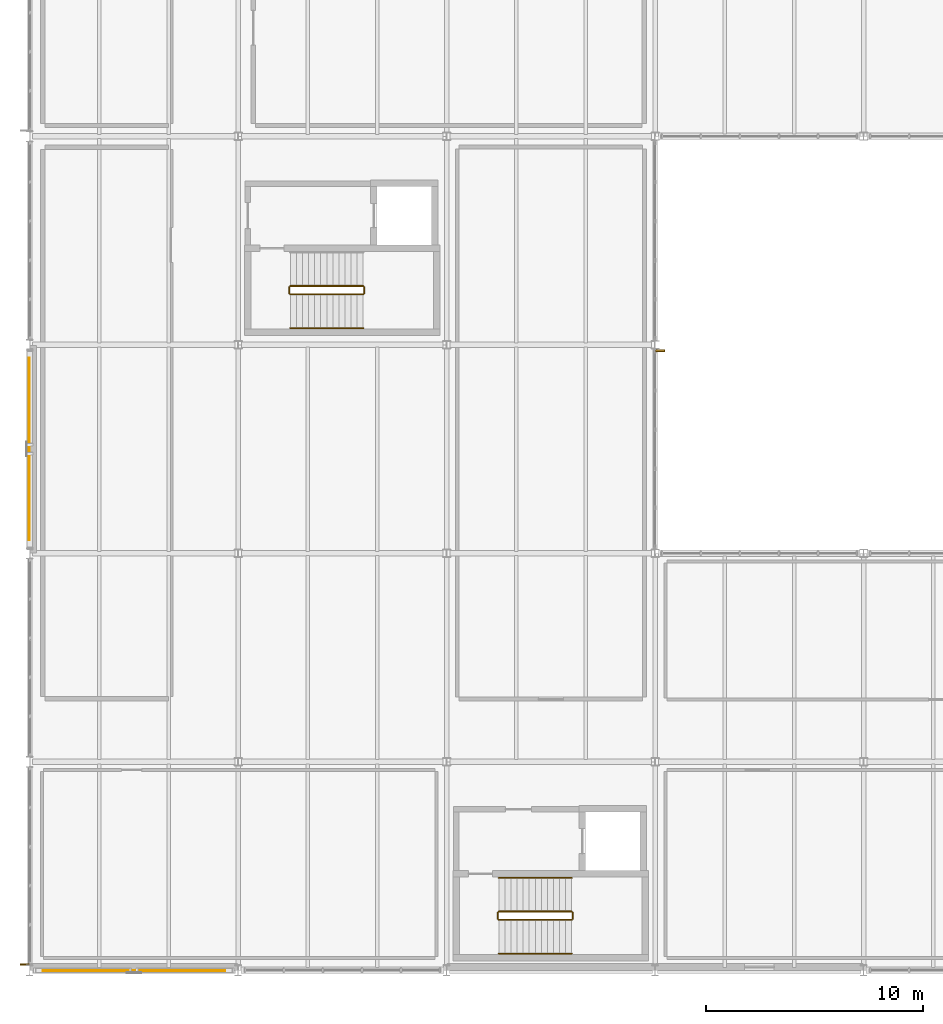
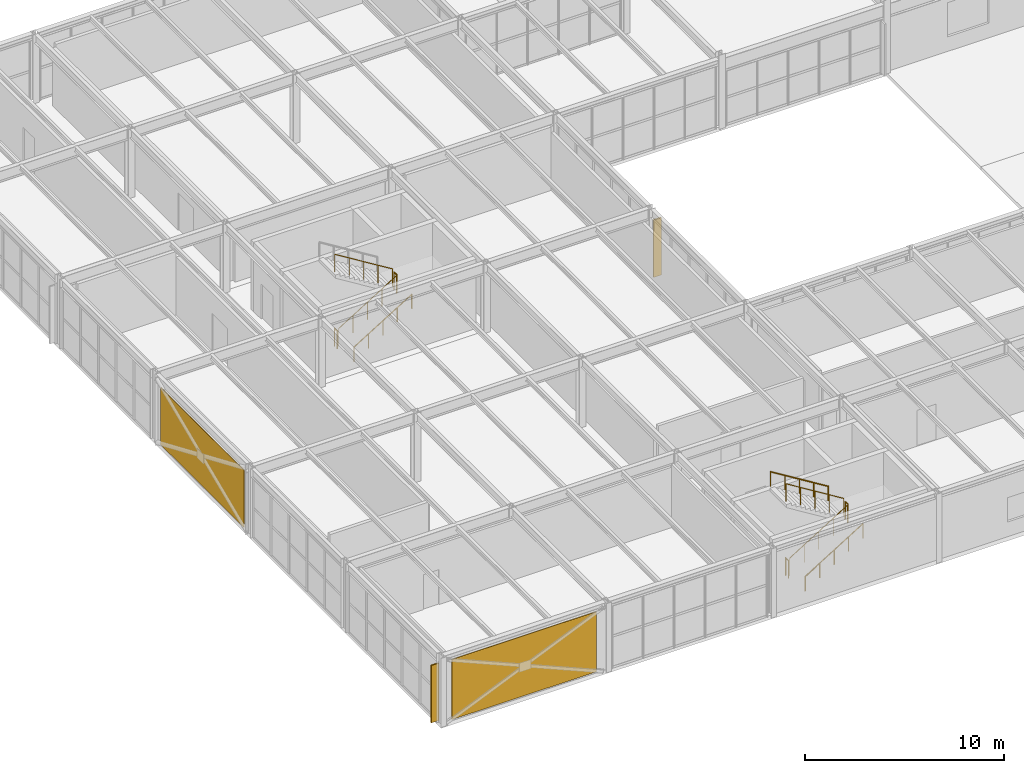
# One storey, part 158 of 170: 11 railings, 2 coverings, 2 shading devices.
"""IFC4 building model written with IfcOpenShell, lengths in metres."""

import ifcopenshell
import ifcopenshell.guid

model = None  # the IFC model being written
_history = None  # IfcOwnerHistory: only IFC2X3 demands one
_inside = {}  # id of a spatial element -> (the spatial element, [elements in it])
_under = {}  # id of a project, library or spatial element -> (it, [spatial elements below it])
_declared = {}  # id of a project -> (the project, [libraries it declares])
_typed = {}  # id of a type object -> (the type object, [elements of that type])
_made_of = {}  # id of a material, layer set ... -> (it, [elements and type objects made of it])


def new_model(schema):
    """Start an empty IFC model of exactly this schema.

    Asked for "IFC4X3", IfcOpenShell would pick the latest addendum, in which some entities
    have other attributes; the version numbers below select the first issue.
    IFC2X3 requires an IfcOwnerHistory on every rooted entity: one is made here for all.
    """
    global model, _history
    if schema == "IFC4X3":
        model = ifcopenshell.file(schema_version=(4, 3, 0, 0))
    else:
        model = ifcopenshell.file(schema=schema)
    _inside.clear()
    _under.clear()
    _declared.clear()
    _typed.clear()
    _made_of.clear()
    _history = None
    if model.schema == "IFC2X3":
        org = make("IfcOrganization", Name="unknown")
        user = make(
            "IfcPersonAndOrganization",
            ThePerson=make("IfcPerson", FamilyName="unknown"),
            TheOrganization=org,
        )
        app = make(
            "IfcApplication",
            ApplicationDeveloper=org,
            Version="unknown",
            ApplicationFullName="unknown",
            ApplicationIdentifier="unknown",
        )
        _history = make(
            "IfcOwnerHistory",
            OwningUser=user,
            OwningApplication=app,
            ChangeAction="ADDED",
            CreationDate=0,
        )
    return model


def make(cls, **values):
    """One entity of the class cls with the attributes given. An attribute that is None is left unset."""
    return model.create_entity(
        cls, **{name: value for name, value in values.items() if value is not None}
    )


def rooted(cls, **values):
    """An entity with a GlobalId (a new one), such as an element, a storey or a relation."""
    return make(cls, GlobalId=ifcopenshell.guid.new(), OwnerHistory=_history, **values)


def si_unit(unit_type, name, prefix=None):
    """IfcSIUnit, for example si_unit("LENGTHUNIT", "METRE", prefix="MILLI")."""
    return make("IfcSIUnit", UnitType=unit_type, Prefix=prefix, Name=name)


def assignment(units):
    """IfcUnitAssignment: the units of a project."""
    return None if units is None else make("IfcUnitAssignment", Units=units)


def point(xyz):
    """IfcCartesianPoint."""
    return None if xyz is None else make("IfcCartesianPoint", Coordinates=xyz)


def direction(xyz):
    """IfcDirection."""
    return None if xyz is None else make("IfcDirection", DirectionRatios=xyz)


def frame(location, z_axis=None, x_axis=None):
    """IfcAxis2Placement3D, a coordinate frame: its origin and axes. An axis left out is left unset."""
    return make(
        "IfcAxis2Placement3D",
        Location=point(location),
        Axis=direction(z_axis),
        RefDirection=direction(x_axis),
    )


def frame_2d(location, x_axis=None):
    """IfcAxis2Placement2D, a coordinate frame in the plane: its origin and x axis."""
    return make(
        "IfcAxis2Placement2D", Location=point(location), RefDirection=direction(x_axis)
    )


def origin():
    """The frame at (0, 0, 0) with its axes left unset."""
    return frame((0.0, 0.0, 0.0))


def origin_2d():
    """The frame at (0, 0) in the plane with its x axis left unset."""
    return frame_2d((0.0, 0.0))


def place(relative_to, where):
    """IfcLocalPlacement: puts the frame where relative to a parent placement (None: the world)."""
    return make(
        "IfcLocalPlacement", PlacementRelTo=relative_to, RelativePlacement=where
    )


def context(
    kind, dimensions, precision=None, world=None, true_north=None, identifier=None
):
    """IfcGeometricRepresentationContext, for example the 3D "Model" context."""
    return make(
        "IfcGeometricRepresentationContext",
        ContextIdentifier=identifier,
        ContextType=kind,
        CoordinateSpaceDimension=dimensions,
        Precision=precision,
        WorldCoordinateSystem=world,
        TrueNorth=true_north,
    )


def subcontext(parent, identifier, kind, view, scale=None):
    """IfcGeometricRepresentationSubContext, for example "Body" below "Model"."""
    return make(
        "IfcGeometricRepresentationSubContext",
        ContextIdentifier=identifier,
        ContextType=kind,
        ParentContext=parent,
        TargetScale=scale,
        TargetView=view,
    )


def project(units=None, contexts=None):
    """IfcProject with its units and contexts."""
    return rooted(
        "IfcProject",
        Name="project",
        RepresentationContexts=contexts,
        UnitsInContext=assignment(units),
    )


def spatial(cls, under=None, at=None, **own):
    """A site, building, storey or space (cls), placed at a placement, below another one or the project."""
    s = rooted(cls, ObjectPlacement=at, **own)
    if under is not None:
        _under.setdefault(under.id(), (under, []))[1].append(s)
    return s


def profile(cls, at=None, kind="AREA", **sizes):
    """A parametric profile (cls). Its sizes go by their IFC names, for example OverallWidth=200.0."""
    return make(cls, ProfileType=kind, Position=at, **sizes)


def rectangle(**sizes):
    """IfcRectangleProfileDef."""
    return profile("IfcRectangleProfileDef", **sizes)


def circle(**sizes):
    """IfcCircleProfileDef."""
    return profile("IfcCircleProfileDef", **sizes)


def extrude(swept, where, along, depth):
    """IfcExtrudedAreaSolid: the profile swept, set in the frame where, extruded along a direction by depth."""
    return make(
        "IfcExtrudedAreaSolid",
        SweptArea=swept,
        Position=where,
        ExtrudedDirection=direction(along),
        Depth=depth,
    )


def shape(context_of_items, identifier, shape_type, items):
    """IfcShapeRepresentation: the items that make up one representation, for example the "Body"."""
    return make(
        "IfcShapeRepresentation",
        ContextOfItems=context_of_items,
        RepresentationIdentifier=identifier,
        RepresentationType=shape_type,
        Items=items,
    )


def material(Name=None, Category=None):
    """IfcMaterial."""
    return make("IfcMaterial", Name=Name, Category=Category)


def layer(
    of_material, thickness, ventilated=None, Name=None, Category=None, Priority=None
):
    """IfcMaterialLayer: one layer of a wall or slab, of a material (None: an air gap)."""
    return make(
        "IfcMaterialLayer",
        Material=of_material,
        LayerThickness=thickness,
        IsVentilated=ventilated,
        Name=Name,
        Category=Category,
        Priority=Priority,
    )


def layer_set(layers, Name=None):
    """IfcMaterialLayerSet."""
    return make("IfcMaterialLayerSet", MaterialLayers=layers, LayerSetName=Name)


def made_of(thing, what):
    """Note that an element or type object is made of a material, layer set ...; save() writes the relation."""
    if what is not None:
        _made_of.setdefault(what.id(), (what, []))[1].append(thing)
    return thing


def type_object(cls, material=None, **own):
    """A type object (cls), such as IfcWallType, which elements share."""
    return made_of(rooted(cls, **own), material)


def element(
    cls,
    number,
    at=None,
    inside=None,
    cuts=None,
    type_object=None,
    material=None,
    context=None,
    identifier="Body",
    shape_type=None,
    held_by="IfcProductDefinitionShape",
    body=None,
    shapes=None,
    **own,
):
    """One element of the class cls, such as IfcWall. Its Tag is "e" and its number.

    at: its placement. inside: the storey or other place that contains it. cuts: it is an
    opening in that element (IfcRelVoidsElement). A single representation is given by context,
    identifier, shape_type and body (its items); several are given by shapes. held_by: the class
    of the entity that holds the representations. save() writes the other relations.
    """
    e = rooted(cls, Tag="e%d" % number, ObjectPlacement=at, **own)
    if body is not None:
        shapes = [shape(context, identifier, shape_type, body)]
    if shapes is not None:
        e.Representation = make(held_by, Representations=shapes)
    if inside is not None:
        _inside.setdefault(inside.id(), (inside, []))[1].append(e)
    if cuts is not None:
        rooted(
            "IfcRelVoidsElement", RelatingBuildingElement=cuts, RelatedOpeningElement=e
        )
    if type_object is not None:
        _typed.setdefault(type_object.id(), (type_object, []))[1].append(e)
    return made_of(e, material)


def aggregate(whole, parts):
    """IfcRelAggregates: a whole, such as a stair, and the parts it consists of."""
    return rooted("IfcRelAggregates", RelatingObject=whole, RelatedObjects=parts)


def save(model, path):
    """Write the relations noted so far, then the file.

    IfcRelAggregates (storeys below a building ...), IfcRelContainedInSpatialStructure (elements
    in a storey), IfcRelDefinesByType, IfcRelAssociatesMaterial and IfcRelDeclares: one each for
    every whole, place, type object, material and project.
    """
    for whole, parts in _under.values():
        aggregate(whole, parts)
    for where, things in _inside.values():
        rooted(
            "IfcRelContainedInSpatialStructure",
            RelatedElements=things,
            RelatingStructure=where,
        )
    for kind, things in _typed.values():
        rooted("IfcRelDefinesByType", RelatedObjects=things, RelatingType=kind)
    for what, things in _made_of.values():
        rooted("IfcRelAssociatesMaterial", RelatedObjects=things, RelatingMaterial=what)
    for by, libraries in _declared.values():
        rooted("IfcRelDeclares", RelatingContext=by, RelatedDefinitions=libraries)
    model.write(path)


model = new_model("IFC4")

# Units and contexts
model_context = context("Model", 3, precision=1e-05, world=origin(), true_north=direction((0.0, 1.0)))
body_context = subcontext(model_context, "Body", "Model", "MODEL_VIEW")
ifc_project = project(units=[si_unit("LENGTHUNIT", "METRE"), si_unit("AREAUNIT", "SQUARE_METRE"), si_unit("VOLUMEUNIT", "CUBIC_METRE"), si_unit("PLANEANGLEUNIT", "RADIAN"), si_unit("MASSUNIT", "GRAM", prefix="KILO")], contexts=[model_context])

# Site, building, storey
site_placement = place(None, origin())
site = spatial("IfcSite", under=ifc_project, at=site_placement, CompositionType="ELEMENT")
building_placement = place(site_placement, origin())
building = spatial("IfcBuilding", under=site, at=building_placement, Name="Coralgate Yard Interchange", CompositionType="ELEMENT")
storey_placement = place(building_placement, frame((0.0, 0.0, 6.0)))
storey = spatial("IfcBuildingStorey", under=building, at=storey_placement, Name="L01", CompositionType="ELEMENT", Elevation=6.0)

# Coverings
ifc_material_1 = material(Name="Coral-buff architectural terracotta rainscreen cladding", Category="masonry")
ifc_layer = layer(ifc_material_1, 0.0400390625)
ifc_layer_set = layer_set([ifc_layer], Name="Coral-buff architectural terracotta rainscreen cladding")
covering_type = type_object("IfcCoveringType", Name="COV-CLD1", PredefinedType="CLADDING", material=ifc_layer_set)
covering_1_placement = place(storey_placement, frame((4.800048828125, -0.02001953125, 0.10009765625), z_axis=(0.0, 0.0, 1.0), x_axis=(-1.0, 0.0, 0.0)))
element("IfcCovering", 1, at=covering_1_placement, inside=storey, type_object=covering_type, Name="L01 coastal terracotta cladding panel S-0-0", PredefinedType="CLADDING", context=body_context, shape_type="SweptSolid", body=[
    extrude(rectangle(XDim=8.39990234375, YDim=0.0400390625, at=origin_2d()), origin(), (0.0, 0.0, 1.0), 3.699951171875),
])
covering_2_placement = place(storey_placement, frame((-0.02001953125, 24.0, 0.10009765625), z_axis=(0.0, 0.0, 1.0), x_axis=(0.0, 1.0, 0.0)))
element("IfcCovering", 2, at=covering_2_placement, inside=storey, type_object=covering_type, Name="L01 coastal terracotta cladding panel W-0-2", PredefinedType="CLADDING", context=body_context, shape_type="SweptSolid", body=[
    extrude(rectangle(XDim=8.39990234375, YDim=0.0400390625, at=origin_2d()), origin(), (0.0, 0.0, 1.0), 3.516845703125),
])

# Railings
ifc_material_2 = material(Name="Grade 316 marine stainless steel and toughened glass balustrade", Category="steel")
railing_type_1 = type_object("IfcRailingType", Name="RLG-GD1100", PredefinedType="BALUSTRADE", material=ifc_material_2)
railing_1_placement = place(storey_placement, frame((12.0, 31.1201171875, 0.173095703125)))
element("IfcRailing", 3, at=railing_1_placement, inside=storey, type_object=railing_type_1, Name="L01 ST-01 stair guard 1", PredefinedType="BALUSTRADE", context=body_context, shape_type="SweptSolid", body=[
    extrude(circle(Radius=0.02392578125, at=origin_2d()), frame((0.0, 0.0, 1.076171875), z_axis=(0.850623216509, 0.0, 0.525775754039), x_axis=(0.0, 1.0, 0.0)), (0.0, 0.0, 1.0), 3.9501953125),
    extrude(circle(Radius=0.02099609375, at=origin_2d()), origin(), (0.0, 0.0, 1.0), 1.051513671875),
    extrude(circle(Radius=0.02099609375, at=origin_2d()), frame((0.840087890625, 0.0, 0.519287109375)), (0.0, 0.0, 1.0), 1.051513671875),
    extrude(circle(Radius=0.02099609375, at=origin_2d()), frame((1.68017578125, 0.0, 1.03857421875)), (0.0, 0.0, 1.0), 1.051513671875),
    extrude(circle(Radius=0.02099609375, at=origin_2d()), frame((2.52001953125, 0.0, 1.5576171875)), (0.0, 0.0, 1.0), 1.051513671875),
    extrude(circle(Radius=0.02099609375, at=origin_2d()), frame((3.360107421875, 0.0, 2.076904296875)), (0.0, 0.0, 1.0), 1.051513671875),
])
railing_2_placement = place(storey_placement, frame((15.409912109375, 31.169921875, 2.25)))
element("IfcRailing", 4, at=railing_2_placement, inside=storey, type_object=railing_type_1, Name="L01 ST-01 stair guard 2", PredefinedType="BALUSTRADE", context=body_context, shape_type="SweptSolid", body=[
    extrude(circle(Radius=0.02392578125, at=origin_2d()), frame((0.0, 0.0, 1.076171875), z_axis=(0.0, 1.0, 0.0), x_axis=(-1.0, 0.0, 0.0)), (0.0, 0.0, 1.0), 0.2900390625),
    extrude(circle(Radius=0.02099609375, at=origin_2d()), origin(), (0.0, 0.0, 1.0), 1.051513671875),
    extrude(circle(Radius=0.02099609375, at=origin_2d()), frame((0.0, 0.2900390625, 0.0)), (0.0, 0.0, 1.0), 1.051513671875),
])
railing_3_placement = place(storey_placement, frame((15.360107421875, 31.510009765625, 2.423095703125)))
element("IfcRailing", 5, at=railing_3_placement, inside=storey, type_object=railing_type_1, Name="L01 ST-01 stair guard 3", PredefinedType="BALUSTRADE", context=body_context, shape_type="SweptSolid", body=[
    extrude(circle(Radius=0.02392578125, at=origin_2d()), frame((0.0, 0.0, 1.076171875), z_axis=(-0.850623216509, 0.0, 0.525775754039), x_axis=(0.0, -1.0, 0.0)), (0.0, 0.0, 1.0), 3.9501953125),
    extrude(circle(Radius=0.02099609375, at=origin_2d()), origin(), (0.0, 0.0, 1.0), 1.051513671875),
    extrude(circle(Radius=0.02099609375, at=origin_2d()), frame((-0.840087890625, 0.0, 0.519287109375)), (0.0, 0.0, 1.0), 1.051513671875),
    extrude(circle(Radius=0.02099609375, at=origin_2d()), frame((-1.68017578125, 0.0, 1.03857421875)), (0.0, 0.0, 1.0), 1.051513671875),
    extrude(circle(Radius=0.02099609375, at=origin_2d()), frame((-2.52001953125, 0.0, 1.5576171875)), (0.0, 0.0, 1.0), 1.051513671875),
    extrude(circle(Radius=0.02099609375, at=origin_2d()), frame((-3.360107421875, 0.0, 2.076904296875)), (0.0, 0.0, 1.0), 1.051513671875),
])
railing_4_placement = place(storey_placement, frame((11.949951171875, 31.169921875, 0.0)))
element("IfcRailing", 6, at=railing_4_placement, inside=storey, type_object=railing_type_1, Name="L01 ST-01 stair guard 4", PredefinedType="BALUSTRADE", context=body_context, shape_type="SweptSolid", body=[
    extrude(circle(Radius=0.02392578125, at=origin_2d()), frame((0.0, 0.0, 1.076171875), z_axis=(0.0, 1.0, 0.0), x_axis=(-1.0, 0.0, 0.0)), (0.0, 0.0, 1.0), 0.2900390625),
    extrude(circle(Radius=0.02099609375, at=origin_2d()), origin(), (0.0, 0.0, 1.0), 1.051513671875),
    extrude(circle(Radius=0.02099609375, at=origin_2d()), frame((0.0, 0.2900390625, 0.0)), (0.0, 0.0, 1.0), 1.051513671875),
])
railing_5_placement = place(storey_placement, frame((21.60009765625, 2.320068359375, 0.173095703125)))
element("IfcRailing", 7, at=railing_5_placement, inside=storey, type_object=railing_type_1, Name="L01 ST-03 stair guard 1", PredefinedType="BALUSTRADE", context=body_context, shape_type="SweptSolid", body=[
    extrude(circle(Radius=0.02392578125, at=origin_2d()), frame((0.0, 0.0, 1.076171875), z_axis=(0.850606129759, 0.0, 0.525803396734), x_axis=(0.0, 1.0, 0.0)), (0.0, 0.0, 1.0), 3.949951171875),
    extrude(circle(Radius=0.02099609375, at=origin_2d()), origin(), (0.0, 0.0, 1.0), 1.051513671875),
    extrude(circle(Radius=0.02099609375, at=origin_2d()), frame((0.83984375, 0.0, 0.519287109375)), (0.0, 0.0, 1.0), 1.051513671875),
    extrude(circle(Radius=0.02099609375, at=origin_2d()), frame((1.679931640625, 0.0, 1.03857421875)), (0.0, 0.0, 1.0), 1.051513671875),
    extrude(circle(Radius=0.02099609375, at=origin_2d()), frame((2.52001953125, 0.0, 1.5576171875)), (0.0, 0.0, 1.0), 1.051513671875),
    extrude(circle(Radius=0.02099609375, at=origin_2d()), frame((3.35986328125, 0.0, 2.076904296875)), (0.0, 0.0, 1.0), 1.051513671875),
])
railing_6_placement = place(storey_placement, frame((25.010009765625, 2.3701171875, 2.25)))
element("IfcRailing", 8, at=railing_6_placement, inside=storey, type_object=railing_type_1, Name="L01 ST-03 stair guard 2", PredefinedType="BALUSTRADE", context=body_context, shape_type="SweptSolid", body=[
    extrude(circle(Radius=0.02392578125, at=origin_2d()), frame((0.0, 0.0, 1.076171875), z_axis=(0.0, 1.0, 0.0), x_axis=(-1.0, 0.0, 0.0)), (0.0, 0.0, 1.0), 0.289794921875),
    extrude(circle(Radius=0.02099609375, at=origin_2d()), origin(), (0.0, 0.0, 1.0), 1.051513671875),
    extrude(circle(Radius=0.02099609375, at=origin_2d()), frame((0.0, 0.289794921875, 0.0)), (0.0, 0.0, 1.0), 1.051513671875),
])
railing_7_placement = place(storey_placement, frame((24.9599609375, 2.7099609375, 2.423095703125)))
element("IfcRailing", 9, at=railing_7_placement, inside=storey, type_object=railing_type_1, Name="L01 ST-03 stair guard 3", PredefinedType="BALUSTRADE", context=body_context, shape_type="SweptSolid", body=[
    extrude(circle(Radius=0.02392578125, at=origin_2d()), frame((0.0, 0.0, 1.076171875), z_axis=(-0.850606129759, 0.0, 0.525803396734), x_axis=(0.0, -1.0, 0.0)), (0.0, 0.0, 1.0), 3.949951171875),
    extrude(circle(Radius=0.02099609375, at=origin_2d()), origin(), (0.0, 0.0, 1.0), 1.051513671875),
    extrude(circle(Radius=0.02099609375, at=origin_2d()), frame((-0.83984375, 0.0, 0.519287109375)), (0.0, 0.0, 1.0), 1.051513671875),
    extrude(circle(Radius=0.02099609375, at=origin_2d()), frame((-1.679931640625, 0.0, 1.03857421875)), (0.0, 0.0, 1.0), 1.051513671875),
    extrude(circle(Radius=0.02099609375, at=origin_2d()), frame((-2.52001953125, 0.0, 1.5576171875)), (0.0, 0.0, 1.0), 1.051513671875),
    extrude(circle(Radius=0.02099609375, at=origin_2d()), frame((-3.35986328125, 0.0, 2.076904296875)), (0.0, 0.0, 1.0), 1.051513671875),
])
railing_8_placement = place(storey_placement, frame((21.550048828125, 2.3701171875, 0.0)))
element("IfcRailing", 10, at=railing_8_placement, inside=storey, type_object=railing_type_1, Name="L01 ST-03 stair guard 4", PredefinedType="BALUSTRADE", context=body_context, shape_type="SweptSolid", body=[
    extrude(circle(Radius=0.02392578125, at=origin_2d()), frame((0.0, 0.0, 1.076171875), z_axis=(0.0, 1.0, 0.0), x_axis=(-1.0, 0.0, 0.0)), (0.0, 0.0, 1.0), 0.289794921875),
    extrude(circle(Radius=0.02099609375, at=origin_2d()), origin(), (0.0, 0.0, 1.0), 1.051513671875),
    extrude(circle(Radius=0.02099609375, at=origin_2d()), frame((0.0, 0.289794921875, 0.0)), (0.0, 0.0, 1.0), 1.051513671875),
])
ifc_material_3 = material(Name="Grade 316 marine stainless steel", Category="steel")
railing_type_2 = type_object("IfcRailingType", Name="RLG-HR900", PredefinedType="HANDRAIL", material=ifc_material_3)
railing_9_placement = place(storey_placement, frame((12.0, 29.570068359375, 0.173095703125)))
element("IfcRailing", 11, at=railing_9_placement, inside=storey, type_object=railing_type_2, Name="L01 ST-01 stair handrail 1", PredefinedType="HANDRAIL", context=body_context, shape_type="SweptSolid", body=[
    extrude(circle(Radius=0.02392578125, at=origin_2d()), frame((0.0, 0.0, 0.8759765625), z_axis=(0.850623216509, 0.0, 0.525775754039), x_axis=(0.0, 1.0, 0.0)), (0.0, 0.0, 1.0), 3.9501953125),
    extrude(circle(Radius=0.02099609375, at=origin_2d()), origin(), (0.0, 0.0, 1.0), 0.851318359375),
    extrude(circle(Radius=0.02099609375, at=origin_2d()), frame((0.840087890625, 0.0, 0.519287109375)), (0.0, 0.0, 1.0), 0.851318359375),
    extrude(circle(Radius=0.02099609375, at=origin_2d()), frame((1.68017578125, 0.0, 1.03857421875)), (0.0, 0.0, 1.0), 0.851318359375),
    extrude(circle(Radius=0.02099609375, at=origin_2d()), frame((2.52001953125, 0.0, 1.5576171875)), (0.0, 0.0, 1.0), 0.851318359375),
    extrude(circle(Radius=0.02099609375, at=origin_2d()), frame((3.360107421875, 0.0, 2.076904296875)), (0.0, 0.0, 1.0), 0.851318359375),
])
railing_10_placement = place(storey_placement, frame((21.60009765625, 0.77001953125, 0.173095703125)))
element("IfcRailing", 12, at=railing_10_placement, inside=storey, type_object=railing_type_2, Name="L01 ST-03 stair handrail 1", PredefinedType="HANDRAIL", context=body_context, shape_type="SweptSolid", body=[
    extrude(circle(Radius=0.02392578125, at=origin_2d()), frame((0.0, 0.0, 0.8759765625), z_axis=(0.850606129759, 0.0, 0.525803396734), x_axis=(0.0, 1.0, 0.0)), (0.0, 0.0, 1.0), 3.949951171875),
    extrude(circle(Radius=0.02099609375, at=origin_2d()), origin(), (0.0, 0.0, 1.0), 0.851318359375),
    extrude(circle(Radius=0.02099609375, at=origin_2d()), frame((0.83984375, 0.0, 0.519287109375)), (0.0, 0.0, 1.0), 0.851318359375),
    extrude(circle(Radius=0.02099609375, at=origin_2d()), frame((1.679931640625, 0.0, 1.03857421875)), (0.0, 0.0, 1.0), 0.851318359375),
    extrude(circle(Radius=0.02099609375, at=origin_2d()), frame((2.52001953125, 0.0, 1.5576171875)), (0.0, 0.0, 1.0), 0.851318359375),
    extrude(circle(Radius=0.02099609375, at=origin_2d()), frame((3.35986328125, 0.0, 2.076904296875)), (0.0, 0.0, 1.0), 0.851318359375),
])
railing_11_placement = place(storey_placement, frame((24.9599609375, 4.260009765625, 2.423095703125)))
element("IfcRailing", 13, at=railing_11_placement, inside=storey, type_object=railing_type_2, Name="L01 ST-03 stair handrail 2", PredefinedType="HANDRAIL", context=body_context, shape_type="SweptSolid", body=[
    extrude(circle(Radius=0.02392578125, at=origin_2d()), frame((0.0, 0.0, 0.8759765625), z_axis=(-0.850606129759, 0.0, 0.525803396734), x_axis=(0.0, -1.0, 0.0)), (0.0, 0.0, 1.0), 3.949951171875),
    extrude(circle(Radius=0.02099609375, at=origin_2d()), origin(), (0.0, 0.0, 1.0), 0.851318359375),
    extrude(circle(Radius=0.02099609375, at=origin_2d()), frame((-0.83984375, 0.0, 0.519287109375)), (0.0, 0.0, 1.0), 0.851318359375),
    extrude(circle(Radius=0.02099609375, at=origin_2d()), frame((-1.679931640625, 0.0, 1.03857421875)), (0.0, 0.0, 1.0), 0.851318359375),
    extrude(circle(Radius=0.02099609375, at=origin_2d()), frame((-2.52001953125, 0.0, 1.5576171875)), (0.0, 0.0, 1.0), 0.851318359375),
    extrude(circle(Radius=0.02099609375, at=origin_2d()), frame((-3.35986328125, 0.0, 2.076904296875)), (0.0, 0.0, 1.0), 0.851318359375),
])

# Shading devices
ifc_material_4 = material(Name="Anodised coastal aluminium vertical brise-soleil blade", Category="aluminium")
shading_device_type = type_object("IfcShadingDeviceType", Name="SHD-BS1", PredefinedType="SHUTTER", material=ifc_material_4)
for number, where, z_axis, x_axis, name in (
    (14, (-0.219970703125, 0.27001953125, 0.10009765625), (0.0, 0.0, 1.0), (0.0, 1.0, 0.0), "L01 coastal aluminium brise-soleil fin W-0-0"),
    (15, (29.02001953125, 28.530029296875, 0.10009765625), (0.0, 0.0, 1.0), (0.0, -1.0, 0.0), "L01 coastal aluminium brise-soleil fin E-2-2"),
):
    element("IfcShadingDevice", number, at=place(storey_placement, frame(where, z_axis=z_axis, x_axis=x_axis)), inside=storey, type_object=shading_device_type, Name=name, PredefinedType="SHUTTER", context=body_context, shape_type="SweptSolid", body=[
        extrude(rectangle(XDim=0.080078125, YDim=0.449951171875, at=origin_2d()), origin(), (0.0, 0.0, 1.0), 3.516845703125),
    ])

save(model, "model.ifc")
